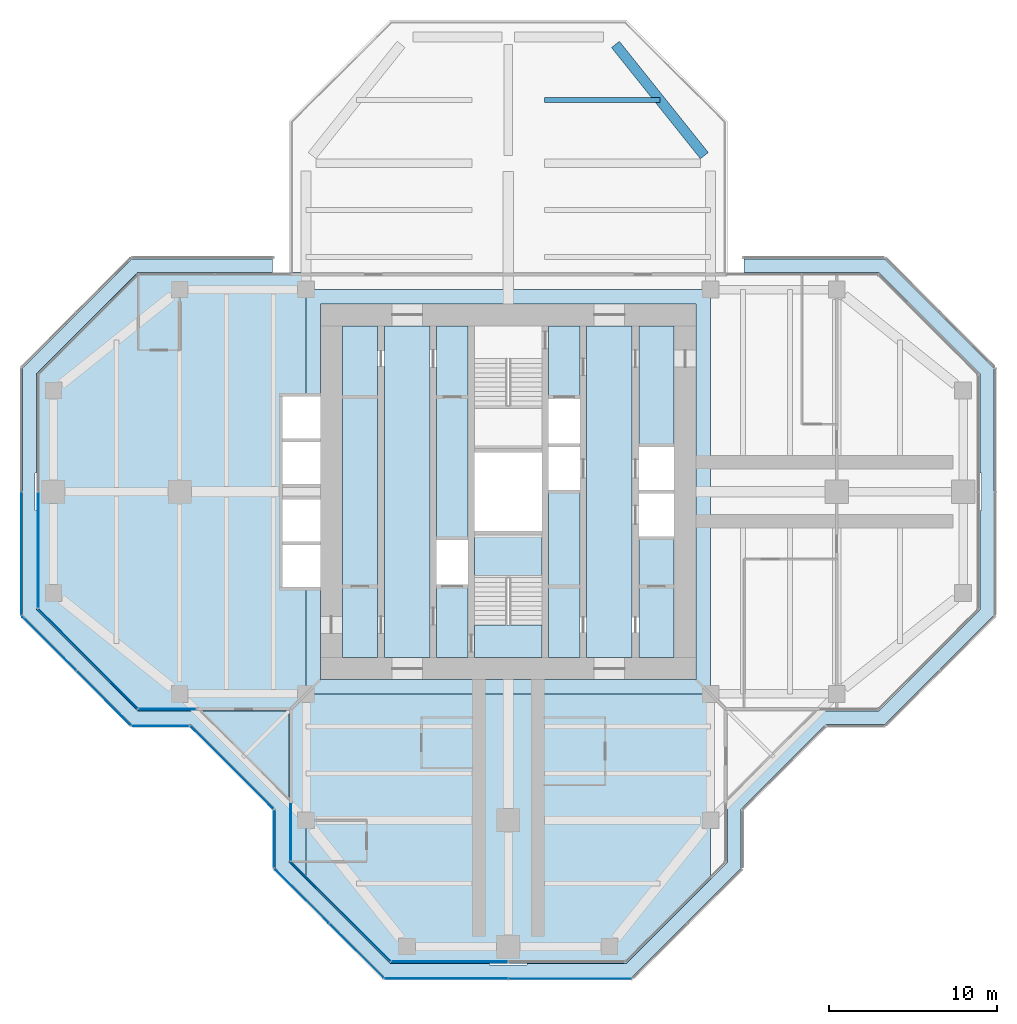
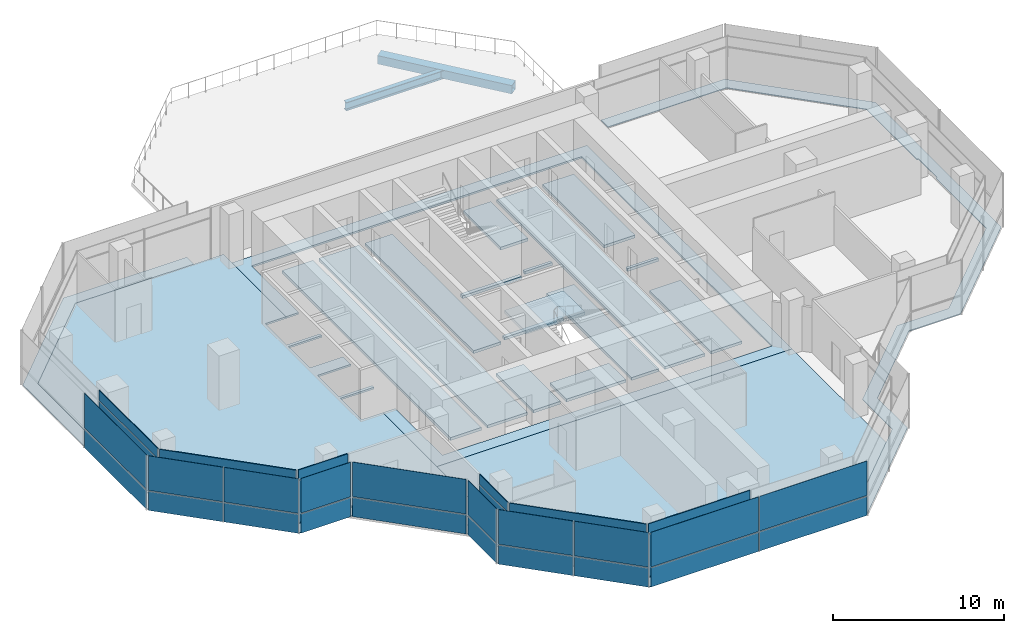
# One storey, part 9 of 15: 33 plates, 7 slabs, 2 beams, 14 elements without a shape of their own.
"""IFC4 building model written with IfcOpenShell, lengths in metres."""

from ifc_helpers import new_model, si_unit, direction, frame, origin, origin_2d, place, context, subcontext, project, spatial, polyline, rectangle, hollow_rectangle, i_section, outline, extrude, material, layer, layer_set, material_profile, profile_set, type_object, element, aggregate, save


model = new_model("IFC4")

# Units and contexts
model_context = context("Model", 3, precision=1e-05, world=origin(), true_north=direction((0.0, 1.0)))
body_context = subcontext(model_context, "Body", "Model", "MODEL_VIEW")
ifc_project = project(units=[si_unit("LENGTHUNIT", "METRE"), si_unit("AREAUNIT", "SQUARE_METRE"), si_unit("VOLUMEUNIT", "CUBIC_METRE"), si_unit("PLANEANGLEUNIT", "RADIAN"), si_unit("MASSUNIT", "GRAM", prefix="KILO")], contexts=[model_context])

# Site, building, storey
site_placement = place(None, origin())
site = spatial("IfcSite", under=ifc_project, at=site_placement, CompositionType="ELEMENT")
building_placement = place(site_placement, origin())
building = spatial("IfcBuilding", under=site, at=building_placement, Name="Mizan Broadcast Tower", CompositionType="ELEMENT")
storey_placement = place(building_placement, frame((0.0, 0.0, 267.300048828125)))
storey = spatial("IfcBuildingStorey", under=building, at=storey_placement, Name="L63", CompositionType="ELEMENT", Elevation=267.300048828125)

# Beams
ifc_material_1 = material(Name="Steel S355", Category="steel")
ifc_material_profile_1 = material_profile(ifc_material_1, hollow_rectangle(XDim=0.60009765625, YDim=0.60009765625, WallThickness=0.030029296875, at=origin_2d()), Name="BOX 600x600x30")
ifc_profile_set_1 = profile_set([ifc_material_profile_1], Name="Steel S355")
beam_type_1 = type_object("IfcBeamType", Name="EDGE BEAM BOX 600x600x30", PredefinedType="SPANDREL", material=ifc_profile_set_1)
beam_1_placement = place(storey_placement, frame((11.639892578125, 19.949951171875, -0.550048828125), z_axis=(-0.624673911726, 0.780885717636, 0.0), x_axis=(-0.780885717636, -0.624673911726, 0.0)))
element("IfcBeam", 1, at=beam_1_placement, inside=storey, type_object=beam_type_1, Name="Edge beam BOX 600x600x30 L63 north arm", PredefinedType="SPANDREL", context=body_context, shape_type="SweptSolid", body=[
    extrude(hollow_rectangle(XDim=0.60009765625, YDim=0.60009765625, WallThickness=0.030029296875, at=origin_2d()), origin(), (0.0, 0.0, 1.0), 8.4521484375),
])
ifc_material_2 = material(Name="Steel S355", Category="steel")
ifc_material_profile_2 = material_profile(ifc_material_2, i_section(OverallWidth=0.300048828125, OverallDepth=0.590087890625, WebThickness=0.012939453125, FlangeThickness=0.02490234375, FilletRadius=0.027099609375, at=origin_2d()), Name="HEA 600")
ifc_profile_set_2 = profile_set([ifc_material_profile_2], Name="Steel S355")
beam_type_2 = type_object("IfcBeamType", Name="SECONDARY BEAM HEA 600", PredefinedType="JOIST", material=ifc_profile_set_2)
beam_2_placement = place(storey_placement, frame((9.0, 23.25, -0.545166015625), z_axis=(-1.0, 0.0, 0.0), x_axis=(0.0, -1.0, 0.0)))
element("IfcBeam", 2, at=beam_2_placement, inside=storey, type_object=beam_type_2, Name="Secondary beam HEA 600 L63 north arm", PredefinedType="JOIST", context=body_context, shape_type="SweptSolid", body=[
    extrude(i_section(OverallWidth=0.300048828125, OverallDepth=0.590087890625, WebThickness=0.012939453125, FlangeThickness=0.02490234375, FilletRadius=0.027099609375, at=origin_2d()), origin(), (0.0, 0.0, 1.0), 6.85009765625),
])

# Plate
ifc_material_3 = material(Name="Aluminium grating", Category="aluminium")
ifc_layer_1 = layer(ifc_material_3, 0.050048828125)
ifc_layer_set_1 = layer_set([ifc_layer_1], Name="Aluminium grating")
plate_type_1 = type_object("IfcPlateType", Name="CAVITY GRATING", PredefinedType="USERDEFINED", material=ifc_layer_set_1)
plate_1_placement = place(storey_placement, frame((0.0, 0.0, -0.050048828125)))
element("IfcPlate", 3, at=plate_1_placement, inside=storey, type_object=plate_type_1, Name="Cavity grating L63", ObjectType="GRATING", PredefinedType="USERDEFINED", context=body_context, shape_type="SweptSolid", body=[
    extrude(outline(polyline([(-14.0, 13.820068359375), (-22.339599609375, 13.820068359375), (-28.820068359375, 7.339599609375), (-28.820068359375, -7.339599609375), (-22.339599609375, -13.820068359375), (-18.839599609375, -13.820068359375), (-13.820068359375, -18.839599609375), (-13.820068359375, -22.339599609375), (-7.339599609375, -28.820068359375), (7.339599609375, -28.820068359375), (13.820068359375, -22.339599609375), (13.820068359375, -18.839599609375), (18.839599609375, -13.820068359375), (22.339599609375, -13.820068359375), (28.820068359375, -7.339599609375), (28.820068359375, 7.339599609375), (22.339599609375, 13.820068359375), (14.0, 13.820068359375), (14.0, 13.0), (22.0, 13.0), (28.0, 7.0), (28.0, 1.10009765625), (28.10009765625, 1.10009765625), (28.10009765625, -1.10009765625), (28.0, -1.10009765625), (28.0, -7.0), (22.0, -13.0), (18.5, -13.0), (13.0, -18.5), (13.0, -22.0), (7.0, -28.0), (1.10009765625, -28.0), (1.10009765625, -28.10009765625), (-1.10009765625, -28.10009765625), (-1.10009765625, -28.0), (-7.0, -28.0), (-13.0, -22.0), (-13.0, -18.5), (-18.5, -13.0), (-22.0, -13.0), (-28.0, -7.0), (-28.0, -1.10009765625), (-28.10009765625, -1.10009765625), (-28.10009765625, 1.10009765625), (-28.0, 1.10009765625), (-28.0, 7.0), (-22.0, 13.0), (-14.0, 13.0), (-14.0, 13.820068359375)])), origin(), (0.0, 0.0, 1.0), 0.050048828125),
])

# Slabs
ifc_material_4 = material(Name="Concrete C32/40", Category="concrete")
ifc_layer_2 = layer(ifc_material_4, 0.1298828125)
ifc_layer_set_2 = layer_set([ifc_layer_2], Name="Concrete C32/40")
slab_type_1 = type_object("IfcSlabType", Name="COMPOSITE DECK SLAB 130", PredefinedType="FLOOR", material=ifc_layer_set_2)
slab_1_placement = place(storey_placement, frame((0.0, 0.0, -0.130126953125)))
element("IfcSlab", 4, at=slab_1_placement, inside=storey, type_object=slab_type_1, Name="Floor slab L63 centre", PredefinedType="FLOOR", context=body_context, shape_type="SweptSolid", body=[
    extrude(outline(polyline([(-11.14990234375, -5.64990234375), (-12.0, -5.64990234375), (-12.0, -12.0), (12.0, -12.0), (12.0, 12.0), (-12.0, 12.0), (-12.0, 5.64990234375), (-11.14990234375, 5.64990234375), (-11.14990234375, 11.14990234375), (11.14990234375, 11.14990234375), (11.14990234375, -11.14990234375), (-11.14990234375, -11.14990234375), (-11.14990234375, -5.64990234375)])), origin(), (0.0, 0.0, 1.0), 0.130126953125),
])
slab_2_placement = place(storey_placement, frame((0.0, 0.0, -0.130126953125)))
element("IfcSlab", 5, at=slab_2_placement, inside=storey, type_object=slab_type_1, Name="Floor slab L63 west arm", PredefinedType="FLOOR", context=body_context, shape_type="SweptSolid", body=[
    extrude(outline(polyline([(-22.0, 13.0), (-28.0, 7.0), (-28.0, -7.0), (-22.0, -13.0), (-13.0, -13.0), (-13.0, -22.0), (-12.0, -23.0), (-12.0, -5.64990234375), (-13.39990234375, -5.64990234375), (-13.39990234375, -3.14990234375), (-11.14990234375, -3.14990234375), (-11.14990234375, -2.949951171875), (-13.39990234375, -2.949951171875), (-13.39990234375, -0.449951171875), (-11.14990234375, -0.449951171875), (-11.14990234375, 0.449951171875), (-13.39990234375, 0.449951171875), (-13.39990234375, 2.949951171875), (-11.14990234375, 2.949951171875), (-11.14990234375, 3.14990234375), (-13.39990234375, 3.14990234375), (-13.39990234375, 5.64990234375), (-12.0, 5.64990234375), (-12.0, 13.0), (-22.0, 13.0)])), origin(), (0.0, 0.0, 1.0), 0.130126953125),
])
slab_3_placement = place(storey_placement, frame((0.0, 0.0, -0.130126953125)))
element("IfcSlab", 6, at=slab_3_placement, inside=storey, type_object=slab_type_1, Name="Floor slab L63 south arm", PredefinedType="FLOOR", context=body_context, shape_type="SweptSolid", body=[
    extrude(outline(polyline([(7.0, -28.0), (12.0, -23.0), (12.0, -12.0), (-12.0, -12.0), (-12.0, -23.0), (-7.0, -28.0), (7.0, -28.0)])), origin(), (0.0, 0.0, 1.0), 0.130126953125),
])
ifc_material_5 = material(Name="Concrete C40/50", Category="concrete")
ifc_layer_3 = layer(ifc_material_5, 0.199951171875)
ifc_layer_set_3 = layer_set([ifc_layer_3], Name="Concrete C40/50")
slab_type_2 = type_object("IfcSlabType", Name="CORE FLOOR 200", PredefinedType="FLOOR", material=ifc_layer_set_3)
slab_4_placement = place(storey_placement, frame((0.0, 0.0, -0.199951171875)))
element("IfcSlab", 7, at=slab_4_placement, inside=storey, type_object=slab_type_2, Name="Core floor L63", PredefinedType="FLOOR", context=body_context, shape_type="SweptSolid", body=[
    extrude(outline(polyline([(-9.85009765625, -9.85009765625), (-7.75, -9.85009765625), (-7.75, 9.85009765625), (-9.85009765625, 9.85009765625), (-9.85009765625, -9.85009765625)])), origin(), (0.0, 0.0, 1.0), 0.199951171875),
    extrude(outline(polyline([(-4.64990234375, 9.85009765625), (-7.35009765625, 9.85009765625), (-7.35009765625, -9.85009765625), (-4.64990234375, -9.85009765625), (-4.64990234375, 9.85009765625)])), origin(), (0.0, 0.0, 1.0), 0.199951171875),
    extrude(outline(polyline([(-4.25, -5.5), (-4.25, -9.85009765625), (-2.39990234375, -9.85009765625), (-2.39990234375, -5.5), (-4.25, -5.5)])), origin(), (0.0, 0.0, 1.0), 0.199951171875),
    extrude(outline(polyline([(-4.25, -2.85009765625), (-2.39990234375, -2.85009765625), (-2.39990234375, 9.85009765625), (-4.25, 9.85009765625), (-4.25, -2.85009765625)])), origin(), (0.0, 0.0, 1.0), 0.199951171875),
    extrude(outline(polyline([(2.0, -2.324951171875), (-2.0, -2.324951171875), (-2.0, -2.574951171875), (2.0, -2.574951171875), (2.0, -2.324951171875)])), origin(), (0.0, 0.0, 1.0), 0.199951171875),
    extrude(outline(polyline([(2.0, 2.574951171875), (-2.0, 2.574951171875), (-2.0, 2.324951171875), (2.0, 2.324951171875), (2.0, 2.574951171875)])), origin(), (0.0, 0.0, 1.0), 0.199951171875),
    extrude(outline(polyline([(4.25, -9.85009765625), (4.25, 0.10009765625), (2.39990234375, 0.10009765625), (2.39990234375, -9.85009765625), (4.25, -9.85009765625)])), origin(), (0.0, 0.0, 1.0), 0.199951171875),
    extrude(outline(polyline([(4.25, 2.64990234375), (4.25, 2.85009765625), (2.39990234375, 2.85009765625), (2.39990234375, 2.64990234375), (4.25, 2.64990234375)])), origin(), (0.0, 0.0, 1.0), 0.199951171875),
    extrude(outline(polyline([(4.25, 5.5), (4.25, 9.85009765625), (2.39990234375, 9.85009765625), (2.39990234375, 5.5), (4.25, 5.5)])), origin(), (0.0, 0.0, 1.0), 0.199951171875),
    extrude(outline(polyline([(4.64990234375, 9.85009765625), (4.64990234375, -9.85009765625), (7.35009765625, -9.85009765625), (7.35009765625, 9.85009765625), (4.64990234375, 9.85009765625)])), origin(), (0.0, 0.0, 1.0), 0.199951171875),
    extrude(outline(polyline([(9.85009765625, -9.85009765625), (9.85009765625, -2.64990234375), (7.75, -2.64990234375), (7.75, -9.85009765625), (9.85009765625, -9.85009765625)])), origin(), (0.0, 0.0, 1.0), 0.199951171875),
    extrude(outline(polyline([(9.85009765625, -0.10009765625), (9.85009765625, 0.10009765625), (7.75, 0.10009765625), (7.75, -0.10009765625), (9.85009765625, -0.10009765625)])), origin(), (0.0, 0.0, 1.0), 0.199951171875),
    extrude(outline(polyline([(7.75, 9.85009765625), (7.75, 2.64990234375), (9.85009765625, 2.64990234375), (9.85009765625, 9.85009765625), (7.75, 9.85009765625)])), origin(), (0.0, 0.0, 1.0), 0.199951171875),
])

# Curtain wall, plate
ifc_material_6 = material(Name="Aluminium framed glazing", Category="aluminium")
curtain_wall_type_1 = type_object("IfcCurtainWallType", Name="INNER SKIN TOP ZONE", PredefinedType="USERDEFINED", material=ifc_material_6)
curtain_wall_1_placement = place(storey_placement, origin())
curtain_wall_1 = element("IfcCurtainWall", 8, at=curtain_wall_1_placement, inside=storey, type_object=curtain_wall_type_1, Name="Inner skin top zone L63 W end", ObjectType="INNER SKIN TOP ZONE", PredefinedType="USERDEFINED")
ifc_material_7 = material(Name="Double glazing, clear low-e", Category="glass")
ifc_layer_4 = layer(ifc_material_7, 0.028076171875)
ifc_layer_set_4 = layer_set([ifc_layer_4], Name="Double glazing, clear low-e")
plate_type_2 = type_object("IfcPlateType", Name="INNER SKIN GLAZING UNIT", PredefinedType="CURTAIN_PANEL", material=ifc_layer_set_4)
plate_2_placement = place(storey_placement, frame((-27.89990234375, -3.46435546875, 0.0), z_axis=(0.0, 0.0, 1.0), x_axis=(0.0, -1.0, 0.0)))
plate_2 = element("IfcPlate", 9, at=plate_2_placement, type_object=plate_type_2, Name="Inner skin top zone L63 W end panel 2.1", PredefinedType="CURTAIN_PANEL", context=body_context, shape_type="SweptSolid", body=[
    extrude(rectangle(XDim=6.86865234375, YDim=0.028076171875, at=origin_2d()), origin(), (0.0, 0.0, 1.0), 3.0),
])

curtain_wall_2_placement = place(storey_placement, origin())
curtain_wall_2 = element("IfcCurtainWall", 10, at=curtain_wall_2_placement, inside=storey, type_object=curtain_wall_type_1, Name="Inner skin top zone L63 W chamfer", ObjectType="INNER SKIN TOP ZONE", PredefinedType="USERDEFINED")
plate_3_placement = place(storey_placement, frame((-24.92919921875, -9.92919921875, 0.0), z_axis=(0.0, 0.0, 1.0), x_axis=(0.707106781187, -0.707106781187, 0.0)))
plate_3 = element("IfcPlate", 11, at=plate_3_placement, type_object=plate_type_2, Name="Inner skin top zone L63 W chamfer panel 1.1", PredefinedType="CURTAIN_PANEL", context=body_context, shape_type="SweptSolid", body=[
    extrude(rectangle(XDim=8.282470703125, YDim=0.028076171875, at=origin_2d()), origin(), (0.0, 0.0, 1.0), 3.0),
])

curtain_wall_3_placement = place(storey_placement, origin())
curtain_wall_3 = element("IfcCurtainWall", 12, at=curtain_wall_3_placement, inside=storey, type_object=curtain_wall_type_1, Name="Inner skin top zone L63 W side", ObjectType="INNER SKIN TOP ZONE", PredefinedType="USERDEFINED")
plate_4_placement = place(storey_placement, frame((-20.229248046875, -12.89990234375, 0.0), z_axis=(0.0, 0.0, 1.0), x_axis=(1.0, 0.0, 0.0)))
plate_4 = element("IfcPlate", 13, at=plate_4_placement, type_object=plate_type_2, Name="Inner skin top zone L63 W side panel 1.1", PredefinedType="CURTAIN_PANEL", context=body_context, shape_type="SweptSolid", body=[
    extrude(rectangle(XDim=3.338623046875, YDim=0.028076171875, at=origin_2d()), origin(), (0.0, 0.0, 1.0), 3.0),
])

curtain_wall_4_placement = place(storey_placement, origin())
curtain_wall_4 = element("IfcCurtainWall", 14, at=curtain_wall_4_placement, inside=storey, type_object=curtain_wall_type_1, Name="Inner skin top zone L63 S side", ObjectType="INNER SKIN TOP ZONE", PredefinedType="USERDEFINED")
plate_5_placement = place(storey_placement, frame((-12.89990234375, -20.229248046875, 0.0), z_axis=(0.0, 0.0, 1.0), x_axis=(0.0, -1.0, 0.0)))
plate_5 = element("IfcPlate", 15, at=plate_5_placement, type_object=plate_type_2, Name="Inner skin top zone L63 S side panel 1.1", PredefinedType="CURTAIN_PANEL", context=body_context, shape_type="SweptSolid", body=[
    extrude(rectangle(XDim=3.338623046875, YDim=0.028076171875, at=origin_2d()), origin(), (0.0, 0.0, 1.0), 3.0),
])

curtain_wall_5_placement = place(storey_placement, origin())
curtain_wall_5 = element("IfcCurtainWall", 16, at=curtain_wall_5_placement, inside=storey, type_object=curtain_wall_type_1, Name="Inner skin top zone L63 S chamfer", ObjectType="INNER SKIN TOP ZONE", PredefinedType="USERDEFINED")
plate_6_placement = place(storey_placement, frame((-9.92919921875, -24.92919921875, 0.0), z_axis=(0.0, 0.0, 1.0), x_axis=(0.707106781187, -0.707106781187, 0.0)))
plate_6 = element("IfcPlate", 17, at=plate_6_placement, type_object=plate_type_2, Name="Inner skin top zone L63 S chamfer panel 1.1", PredefinedType="CURTAIN_PANEL", context=body_context, shape_type="SweptSolid", body=[
    extrude(rectangle(XDim=8.282470703125, YDim=0.028076171875, at=origin_2d()), origin(), (0.0, 0.0, 1.0), 3.0),
])

curtain_wall_6_placement = place(storey_placement, origin())
curtain_wall_6 = element("IfcCurtainWall", 18, at=curtain_wall_6_placement, inside=storey, type_object=curtain_wall_type_1, Name="Inner skin top zone L63 S end", ObjectType="INNER SKIN TOP ZONE", PredefinedType="USERDEFINED")
plate_7_placement = place(storey_placement, frame((-3.46435546875, -27.89990234375, 0.0), z_axis=(0.0, 0.0, 1.0), x_axis=(1.0, 0.0, 0.0)))
plate_7 = element("IfcPlate", 19, at=plate_7_placement, type_object=plate_type_2, Name="Inner skin top zone L63 S end panel 1.1", PredefinedType="CURTAIN_PANEL", context=body_context, shape_type="SweptSolid", body=[
    extrude(rectangle(XDim=6.86865234375, YDim=0.028076171875, at=origin_2d()), origin(), (0.0, 0.0, 1.0), 3.0),
])

# Plate
ifc_material_8 = material(Name="Insulated aluminium spandrel panel, pale anodised", Category="aluminium")
ifc_layer_5 = layer(ifc_material_8, 0.050048828125)
ifc_layer_set_5 = layer_set([ifc_layer_5], Name="Insulated aluminium spandrel panel, pale anodised")
plate_type_3 = type_object("IfcPlateType", Name="INNER SKIN SPANDREL PANEL", PredefinedType="CURTAIN_PANEL", material=ifc_layer_set_5)
plate_8_placement = place(storey_placement, frame((-27.89990234375, -3.46435546875, 3.06005859375), z_axis=(0.0, 0.0, 1.0), x_axis=(0.0, -1.0, 0.0)))
plate_8 = element("IfcPlate", 20, at=plate_8_placement, type_object=plate_type_3, Name="Inner skin top zone L63 W end panel 2.2", PredefinedType="CURTAIN_PANEL", context=body_context, shape_type="SweptSolid", body=[
    extrude(rectangle(XDim=6.86865234375, YDim=0.050048828125, at=origin_2d()), origin(), (0.0, 0.0, 1.0), 0.7099609375),
])

aggregate(curtain_wall_1, [plate_2, plate_8])

plate_9_placement = place(storey_placement, frame((-24.92919921875, -9.92919921875, 3.06005859375), z_axis=(0.0, 0.0, 1.0), x_axis=(0.707106781187, -0.707106781187, 0.0)))
plate_9 = element("IfcPlate", 21, at=plate_9_placement, type_object=plate_type_3, Name="Inner skin top zone L63 W chamfer panel 1.2", PredefinedType="CURTAIN_PANEL", context=body_context, shape_type="SweptSolid", body=[
    extrude(rectangle(XDim=8.282470703125, YDim=0.050048828125, at=origin_2d()), origin(), (0.0, 0.0, 1.0), 0.7099609375),
])

aggregate(curtain_wall_2, [plate_3, plate_9])

plate_10_placement = place(storey_placement, frame((-20.229248046875, -12.89990234375, 3.06005859375), z_axis=(0.0, 0.0, 1.0), x_axis=(1.0, 0.0, 0.0)))
plate_10 = element("IfcPlate", 22, at=plate_10_placement, type_object=plate_type_3, Name="Inner skin top zone L63 W side panel 1.2", PredefinedType="CURTAIN_PANEL", context=body_context, shape_type="SweptSolid", body=[
    extrude(rectangle(XDim=3.338623046875, YDim=0.050048828125, at=origin_2d()), origin(), (0.0, 0.0, 1.0), 0.7099609375),
])

aggregate(curtain_wall_3, [plate_4, plate_10])

plate_11_placement = place(storey_placement, frame((-12.89990234375, -20.229248046875, 3.06005859375), z_axis=(0.0, 0.0, 1.0), x_axis=(0.0, -1.0, 0.0)))
plate_11 = element("IfcPlate", 23, at=plate_11_placement, type_object=plate_type_3, Name="Inner skin top zone L63 S side panel 1.2", PredefinedType="CURTAIN_PANEL", context=body_context, shape_type="SweptSolid", body=[
    extrude(rectangle(XDim=3.338623046875, YDim=0.050048828125, at=origin_2d()), origin(), (0.0, 0.0, 1.0), 0.7099609375),
])

aggregate(curtain_wall_4, [plate_5, plate_11])

plate_12_placement = place(storey_placement, frame((-9.92919921875, -24.92919921875, 3.06005859375), z_axis=(0.0, 0.0, 1.0), x_axis=(0.707106781187, -0.707106781187, 0.0)))
plate_12 = element("IfcPlate", 24, at=plate_12_placement, type_object=plate_type_3, Name="Inner skin top zone L63 S chamfer panel 1.2", PredefinedType="CURTAIN_PANEL", context=body_context, shape_type="SweptSolid", body=[
    extrude(rectangle(XDim=8.282470703125, YDim=0.050048828125, at=origin_2d()), origin(), (0.0, 0.0, 1.0), 0.7099609375),
])

aggregate(curtain_wall_5, [plate_6, plate_12])

plate_13_placement = place(storey_placement, frame((-3.46435546875, -27.89990234375, 3.06005859375), z_axis=(0.0, 0.0, 1.0), x_axis=(1.0, 0.0, 0.0)))
plate_13 = element("IfcPlate", 25, at=plate_13_placement, type_object=plate_type_3, Name="Inner skin top zone L63 S end panel 1.2", PredefinedType="CURTAIN_PANEL", context=body_context, shape_type="SweptSolid", body=[
    extrude(rectangle(XDim=6.86865234375, YDim=0.050048828125, at=origin_2d()), origin(), (0.0, 0.0, 1.0), 0.7099609375),
])

aggregate(curtain_wall_6, [plate_7, plate_13])

# Curtain wall, plates
ifc_material_9 = material(Name="Aluminium framed glazing", Category="aluminium")
curtain_wall_type_2 = type_object("IfcCurtainWallType", Name="OUTER SKIN", PredefinedType="USERDEFINED", material=ifc_material_9)
curtain_wall_7_placement = place(storey_placement, origin())
curtain_wall_7 = element("IfcCurtainWall", 26, at=curtain_wall_7_placement, inside=storey, type_object=curtain_wall_type_2, Name="Outer skin L63 W chamfer", ObjectType="OUTER SKIN", PredefinedType="USERDEFINED")
ifc_material_10 = material(Name="Laminated clear glass", Category="glass")
ifc_layer_6 = layer(ifc_material_10, 0.02001953125)
ifc_layer_set_6 = layer_set([ifc_layer_6], Name="Laminated clear glass")
plate_type_4 = type_object("IfcPlateType", Name="OUTER SKIN CLEAR GLASS", PredefinedType="CURTAIN_PANEL", material=ifc_layer_set_6)
plate_14_placement = place(storey_placement, frame((-27.254150390625, -9.018798828125, 0.0), z_axis=(0.0, 0.0, 1.0), x_axis=(0.707106781187, -0.707106781187, 0.0)))
plate_14 = element("IfcPlate", 27, at=plate_14_placement, type_object=plate_type_4, Name="Outer skin L63 W chamfer panel 1.1", PredefinedType="CURTAIN_PANEL", context=body_context, shape_type="SweptSolid", body=[
    extrude(rectangle(XDim=4.495361328125, YDim=0.02001953125, at=origin_2d()), origin(), (0.0, 0.0, 1.0), 1.3701171875),
])
plate_15_placement = place(storey_placement, frame((-27.254150390625, -9.018798828125, 1.43017578125), z_axis=(0.0, 0.0, 1.0), x_axis=(0.707106781187, -0.707106781187, 0.0)))
plate_15 = element("IfcPlate", 28, at=plate_15_placement, type_object=plate_type_4, Name="Outer skin L63 W chamfer panel 1.2", PredefinedType="CURTAIN_PANEL", context=body_context, shape_type="SweptSolid", body=[
    extrude(rectangle(XDim=4.495361328125, YDim=0.02001953125, at=origin_2d()), origin(), (0.0, 0.0, 1.0), 2.469970703125),
])

curtain_wall_8_placement = place(storey_placement, origin())
curtain_wall_8 = element("IfcCurtainWall", 29, at=curtain_wall_8_placement, inside=storey, type_object=curtain_wall_type_2, Name="Outer skin L63 W side", ObjectType="OUTER SKIN", PredefinedType="USERDEFINED")
plate_16_placement = place(storey_placement, frame((-20.622802734375, -13.89990234375, 0.0), z_axis=(0.0, 0.0, 1.0), x_axis=(1.0, 0.0, 0.0)))
plate_16 = element("IfcPlate", 30, at=plate_16_placement, type_object=plate_type_4, Name="Outer skin L63 W side panel 1.1", PredefinedType="CURTAIN_PANEL", context=body_context, shape_type="SweptSolid", body=[
    extrude(rectangle(XDim=3.340087890625, YDim=0.02001953125, at=origin_2d()), origin(), (0.0, 0.0, 1.0), 1.3701171875),
])
plate_17_placement = place(storey_placement, frame((-20.622802734375, -13.89990234375, 1.43017578125), z_axis=(0.0, 0.0, 1.0), x_axis=(1.0, 0.0, 0.0)))
plate_17 = element("IfcPlate", 31, at=plate_17_placement, type_object=plate_type_4, Name="Outer skin L63 W side panel 1.2", PredefinedType="CURTAIN_PANEL", context=body_context, shape_type="SweptSolid", body=[
    extrude(rectangle(XDim=3.340087890625, YDim=0.02001953125, at=origin_2d()), origin(), (0.0, 0.0, 1.0), 2.469970703125),
])
aggregate(curtain_wall_8, [plate_16, plate_17])

curtain_wall_9_placement = place(storey_placement, origin())
curtain_wall_9 = element("IfcCurtainWall", 32, at=curtain_wall_9_placement, inside=storey, type_object=curtain_wall_type_2, Name="Outer skin L63 W chamfer", ObjectType="OUTER SKIN", PredefinedType="USERDEFINED")
plate_18_placement = place(storey_placement, frame((-16.386474609375, -16.386474609375, 0.0), z_axis=(0.0, 0.0, 1.0), x_axis=(0.707106781187, -0.707106781187, 0.0)))
plate_18 = element("IfcPlate", 33, at=plate_18_placement, type_object=plate_type_4, Name="Outer skin L63 W chamfer panel 1.1", PredefinedType="CURTAIN_PANEL", context=body_context, shape_type="SweptSolid", body=[
    extrude(rectangle(XDim=6.87255859375, YDim=0.02001953125, at=origin_2d()), origin(), (0.0, 0.0, 1.0), 1.3701171875),
])
plate_19_placement = place(storey_placement, frame((-16.386474609375, -16.386474609375, 1.43017578125), z_axis=(0.0, 0.0, 1.0), x_axis=(0.707106781187, -0.707106781187, 0.0)))
plate_19 = element("IfcPlate", 34, at=plate_19_placement, type_object=plate_type_4, Name="Outer skin L63 W chamfer panel 1.2", PredefinedType="CURTAIN_PANEL", context=body_context, shape_type="SweptSolid", body=[
    extrude(rectangle(XDim=6.87255859375, YDim=0.02001953125, at=origin_2d()), origin(), (0.0, 0.0, 1.0), 2.469970703125),
])
aggregate(curtain_wall_9, [plate_18, plate_19])

curtain_wall_10_placement = place(storey_placement, origin())
curtain_wall_10 = element("IfcCurtainWall", 35, at=curtain_wall_10_placement, inside=storey, type_object=curtain_wall_type_2, Name="Outer skin L63 S side", ObjectType="OUTER SKIN", PredefinedType="USERDEFINED")
plate_20_placement = place(storey_placement, frame((-13.89990234375, -20.622802734375, 0.0), z_axis=(0.0, 0.0, 1.0), x_axis=(0.0, -1.0, 0.0)))
plate_20 = element("IfcPlate", 36, at=plate_20_placement, type_object=plate_type_4, Name="Outer skin L63 S side panel 1.1", PredefinedType="CURTAIN_PANEL", context=body_context, shape_type="SweptSolid", body=[
    extrude(rectangle(XDim=3.340087890625, YDim=0.02001953125, at=origin_2d()), origin(), (0.0, 0.0, 1.0), 1.3701171875),
])
plate_21_placement = place(storey_placement, frame((-13.89990234375, -20.622802734375, 1.43017578125), z_axis=(0.0, 0.0, 1.0), x_axis=(0.0, -1.0, 0.0)))
plate_21 = element("IfcPlate", 37, at=plate_21_placement, type_object=plate_type_4, Name="Outer skin L63 S side panel 1.2", PredefinedType="CURTAIN_PANEL", context=body_context, shape_type="SweptSolid", body=[
    extrude(rectangle(XDim=3.340087890625, YDim=0.02001953125, at=origin_2d()), origin(), (0.0, 0.0, 1.0), 2.469970703125),
])
aggregate(curtain_wall_10, [plate_20, plate_21])

curtain_wall_11_placement = place(storey_placement, origin())
curtain_wall_11 = element("IfcCurtainWall", 38, at=curtain_wall_11_placement, inside=storey, type_object=curtain_wall_type_2, Name="Outer skin L63 S chamfer", ObjectType="OUTER SKIN", PredefinedType="USERDEFINED")
plate_22_placement = place(storey_placement, frame((-12.254150390625, -24.018798828125, 0.0), z_axis=(0.0, 0.0, 1.0), x_axis=(0.707106781187, -0.707106781187, 0.0)))
plate_22 = element("IfcPlate", 39, at=plate_22_placement, type_object=plate_type_4, Name="Outer skin L63 S chamfer panel 1.1", PredefinedType="CURTAIN_PANEL", context=body_context, shape_type="SweptSolid", body=[
    extrude(rectangle(XDim=4.495361328125, YDim=0.02001953125, at=origin_2d()), origin(), (0.0, 0.0, 1.0), 1.3701171875),
])
plate_23_placement = place(storey_placement, frame((-12.254150390625, -24.018798828125, 1.43017578125), z_axis=(0.0, 0.0, 1.0), x_axis=(0.707106781187, -0.707106781187, 0.0)))
plate_23 = element("IfcPlate", 40, at=plate_23_placement, type_object=plate_type_4, Name="Outer skin L63 S chamfer panel 1.2", PredefinedType="CURTAIN_PANEL", context=body_context, shape_type="SweptSolid", body=[
    extrude(rectangle(XDim=4.495361328125, YDim=0.02001953125, at=origin_2d()), origin(), (0.0, 0.0, 1.0), 2.469970703125),
])

curtain_wall_12_placement = place(storey_placement, origin())
curtain_wall_12 = element("IfcCurtainWall", 41, at=curtain_wall_12_placement, inside=storey, type_object=curtain_wall_type_2, Name="Outer skin L63 S end", ObjectType="OUTER SKIN", PredefinedType="USERDEFINED")
plate_24_placement = place(storey_placement, frame((-3.66650390625, -28.89990234375, 0.0), z_axis=(0.0, 0.0, 1.0), x_axis=(1.0, 0.0, 0.0)))
plate_24 = element("IfcPlate", 42, at=plate_24_placement, type_object=plate_type_4, Name="Outer skin L63 S end panel 1.1", PredefinedType="CURTAIN_PANEL", context=body_context, shape_type="SweptSolid", body=[
    extrude(rectangle(XDim=7.252685546875, YDim=0.02001953125, at=origin_2d()), origin(), (0.0, 0.0, 1.0), 1.3701171875),
])
plate_25_placement = place(storey_placement, frame((-3.66650390625, -28.89990234375, 1.43017578125), z_axis=(0.0, 0.0, 1.0), x_axis=(1.0, 0.0, 0.0)))
plate_25 = element("IfcPlate", 43, at=plate_25_placement, type_object=plate_type_4, Name="Outer skin L63 S end panel 1.2", PredefinedType="CURTAIN_PANEL", context=body_context, shape_type="SweptSolid", body=[
    extrude(rectangle(XDim=7.252685546875, YDim=0.02001953125, at=origin_2d()), origin(), (0.0, 0.0, 1.0), 2.469970703125),
])

# Plate
ifc_material_11 = material(Name="Perforated aluminium, pale anodised", Category="aluminium")
ifc_layer_7 = layer(ifc_material_11, 0.011962890625)
ifc_layer_set_7 = layer_set([ifc_layer_7], Name="Perforated aluminium, pale anodised")
plate_type_5 = type_object("IfcPlateType", Name="OUTER SKIN PERFORATED SCREEN", PredefinedType="USERDEFINED", material=ifc_layer_set_7)
plate_26_placement = place(storey_placement, frame((-24.018798828125, -12.254150390625, 0.0), z_axis=(0.0, 0.0, 1.0), x_axis=(0.707106781187, -0.707106781187, 0.0)))
plate_26 = element("IfcPlate", 44, at=plate_26_placement, type_object=plate_type_5, Name="Outer skin L63 W chamfer panel 2.1", ObjectType="SCREEN", PredefinedType="USERDEFINED", context=body_context, shape_type="SweptSolid", body=[
    extrude(rectangle(XDim=4.495361328125, YDim=0.011962890625, at=origin_2d()), origin(), (0.0, 0.0, 1.0), 1.3701171875),
])

plate_27_placement = place(storey_placement, frame((-24.018798828125, -12.254150390625, 1.43017578125), z_axis=(0.0, 0.0, 1.0), x_axis=(0.707106781187, -0.707106781187, 0.0)))
plate_27 = element("IfcPlate", 45, at=plate_27_placement, type_object=plate_type_5, Name="Outer skin L63 W chamfer panel 2.2", ObjectType="SCREEN", PredefinedType="USERDEFINED", context=body_context, shape_type="SweptSolid", body=[
    extrude(rectangle(XDim=4.495361328125, YDim=0.011962890625, at=origin_2d()), origin(), (0.0, 0.0, 1.0), 2.469970703125),
])

aggregate(curtain_wall_7, [plate_14, plate_15, plate_26, plate_27])

plate_28_placement = place(storey_placement, frame((-9.018798828125, -27.254150390625, 0.0), z_axis=(0.0, 0.0, 1.0), x_axis=(0.707106781187, -0.707106781187, 0.0)))
plate_28 = element("IfcPlate", 46, at=plate_28_placement, type_object=plate_type_5, Name="Outer skin L63 S chamfer panel 2.1", ObjectType="SCREEN", PredefinedType="USERDEFINED", context=body_context, shape_type="SweptSolid", body=[
    extrude(rectangle(XDim=4.495361328125, YDim=0.011962890625, at=origin_2d()), origin(), (0.0, 0.0, 1.0), 1.3701171875),
])

plate_29_placement = place(storey_placement, frame((-9.018798828125, -27.254150390625, 1.43017578125), z_axis=(0.0, 0.0, 1.0), x_axis=(0.707106781187, -0.707106781187, 0.0)))
plate_29 = element("IfcPlate", 47, at=plate_29_placement, type_object=plate_type_5, Name="Outer skin L63 S chamfer panel 2.2", ObjectType="SCREEN", PredefinedType="USERDEFINED", context=body_context, shape_type="SweptSolid", body=[
    extrude(rectangle(XDim=4.495361328125, YDim=0.011962890625, at=origin_2d()), origin(), (0.0, 0.0, 1.0), 2.469970703125),
])

aggregate(curtain_wall_11, [plate_22, plate_23, plate_28, plate_29])

plate_30_placement = place(storey_placement, frame((3.66650390625, -28.89990234375, 0.0), z_axis=(0.0, 0.0, 1.0), x_axis=(1.0, 0.0, 0.0)))
plate_30 = element("IfcPlate", 48, at=plate_30_placement, type_object=plate_type_5, Name="Outer skin L63 S end panel 2.1", ObjectType="SCREEN", PredefinedType="USERDEFINED", context=body_context, shape_type="SweptSolid", body=[
    extrude(rectangle(XDim=7.252685546875, YDim=0.011962890625, at=origin_2d()), origin(), (0.0, 0.0, 1.0), 1.3701171875),
])

plate_31_placement = place(storey_placement, frame((3.66650390625, -28.89990234375, 1.43017578125), z_axis=(0.0, 0.0, 1.0), x_axis=(1.0, 0.0, 0.0)))
plate_31 = element("IfcPlate", 49, at=plate_31_placement, type_object=plate_type_5, Name="Outer skin L63 S end panel 2.2", ObjectType="SCREEN", PredefinedType="USERDEFINED", context=body_context, shape_type="SweptSolid", body=[
    extrude(rectangle(XDim=7.252685546875, YDim=0.011962890625, at=origin_2d()), origin(), (0.0, 0.0, 1.0), 2.469970703125),
])

aggregate(curtain_wall_12, [plate_24, plate_25, plate_30, plate_31])

# Curtain wall, plates
curtain_wall_13_placement = place(storey_placement, origin())
curtain_wall_13 = element("IfcCurtainWall", 50, at=curtain_wall_13_placement, inside=storey, type_object=curtain_wall_type_2, Name="Outer skin L63 W end", ObjectType="OUTER SKIN", PredefinedType="USERDEFINED")
plate_32_placement = place(storey_placement, frame((-28.89990234375, -3.66650390625, 0.0), z_axis=(0.0, 0.0, 1.0), x_axis=(0.0, -1.0, 0.0)))
plate_32 = element("IfcPlate", 51, at=plate_32_placement, type_object=plate_type_5, Name="Outer skin L63 W end panel 2.1", ObjectType="SCREEN", PredefinedType="USERDEFINED", context=body_context, shape_type="SweptSolid", body=[
    extrude(rectangle(XDim=7.252685546875, YDim=0.011962890625, at=origin_2d()), origin(), (0.0, 0.0, 1.0), 1.3701171875),
])
plate_33_placement = place(storey_placement, frame((-28.89990234375, -3.66650390625, 1.43017578125), z_axis=(0.0, 0.0, 1.0), x_axis=(0.0, -1.0, 0.0)))
plate_33 = element("IfcPlate", 52, at=plate_33_placement, type_object=plate_type_5, Name="Outer skin L63 W end panel 2.2", ObjectType="SCREEN", PredefinedType="USERDEFINED", context=body_context, shape_type="SweptSolid", body=[
    extrude(rectangle(XDim=7.252685546875, YDim=0.011962890625, at=origin_2d()), origin(), (0.0, 0.0, 1.0), 2.469970703125),
])
aggregate(curtain_wall_13, [plate_32, plate_33])

# Stair, slabs
ifc_material_12 = material(Name="Concrete C40/50", Category="concrete")
stair_type = type_object("IfcStairType", Name="EXIT STAIR", PredefinedType="HALF_TURN_STAIR", material=ifc_material_12)
stair_placement = place(storey_placement, origin())
stair = element("IfcStair", 53, at=stair_placement, inside=storey, type_object=stair_type, Name="Stair A L63", PredefinedType="HALF_TURN_STAIR")
ifc_material_13 = material(Name="Concrete C40/50", Category="concrete")
ifc_layer_8 = layer(ifc_material_13, 0.199951171875)
ifc_layer_set_8 = layer_set([ifc_layer_8], Name="Concrete C40/50")
slab_type_3 = type_object("IfcSlabType", Name="STAIR LANDING 200", PredefinedType="LANDING", material=ifc_layer_set_8)
slab_5_placement = place(storey_placement, frame((0.0, 0.0, -0.199951171875)))
slab_5 = element("IfcSlab", 54, at=slab_5_placement, type_object=slab_type_3, Name="A landing 1", PredefinedType="LANDING", context=body_context, shape_type="SweptSolid", body=[
    extrude(outline(polyline([(-2.0, -9.85009765625), (-2.0, -7.89990234375), (2.0, -7.89990234375), (2.0, -9.85009765625), (-2.0, -9.85009765625)])), origin(), (0.0, 0.0, 1.0), 0.199951171875),
])
slab_6_placement = place(storey_placement, frame((0.0, 0.0, 1.75)))
slab_6 = element("IfcSlab", 55, at=slab_6_placement, type_object=slab_type_3, Name="A landing 2", PredefinedType="LANDING", context=body_context, shape_type="SweptSolid", body=[
    extrude(outline(polyline([(-2.0, -5.10009765625), (-2.0, -2.574951171875), (2.0, -2.574951171875), (2.0, -5.10009765625), (-2.0, -5.10009765625)])), origin(), (0.0, 0.0, 1.0), 0.199951171875),
])
aggregate(stair, [slab_5, slab_6])

# Slab
ifc_material_14 = material(Name="Concrete C32/40", Category="concrete")
ifc_layer_9 = layer(ifc_material_14, 0.1298828125)
ifc_layer_set_9 = layer_set([ifc_layer_9], Name="Concrete C32/40")
slab_type_4 = type_object("IfcSlabType", Name="WINTER GARDEN SLAB 130", PredefinedType="FLOOR", material=ifc_layer_set_9)
slab_7_placement = place(storey_placement, frame((0.0, 0.0, -0.130126953125)))
element("IfcSlab", 56, at=slab_7_placement, inside=storey, type_object=slab_type_4, Name="Winter garden slab L63 W", PredefinedType="FLOOR", context=body_context, shape_type="SweptSolid", body=[
    extrude(outline(polyline([(-13.0, -13.0), (-18.5, -13.0), (-13.0, -18.5), (-13.0, -13.0)])), origin(), (0.0, 0.0, 1.0), 0.130126953125),
])

save(model, "model.ifc")
